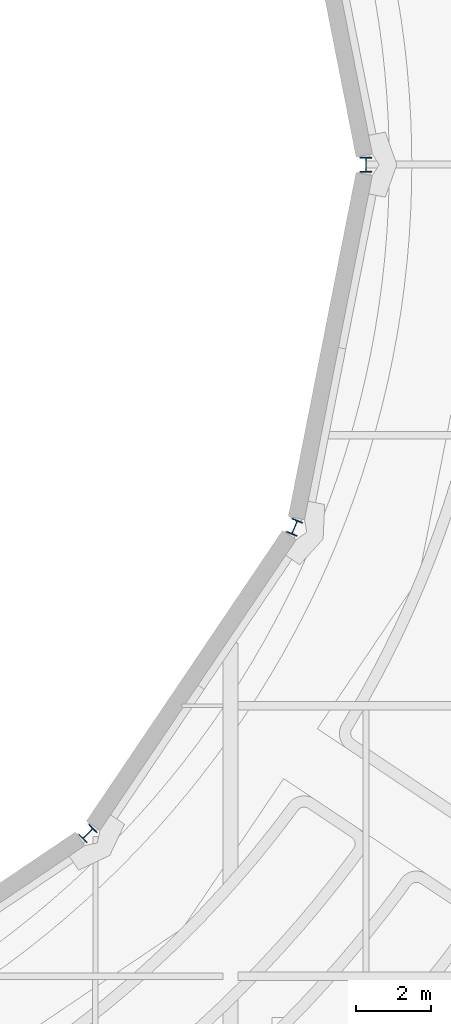
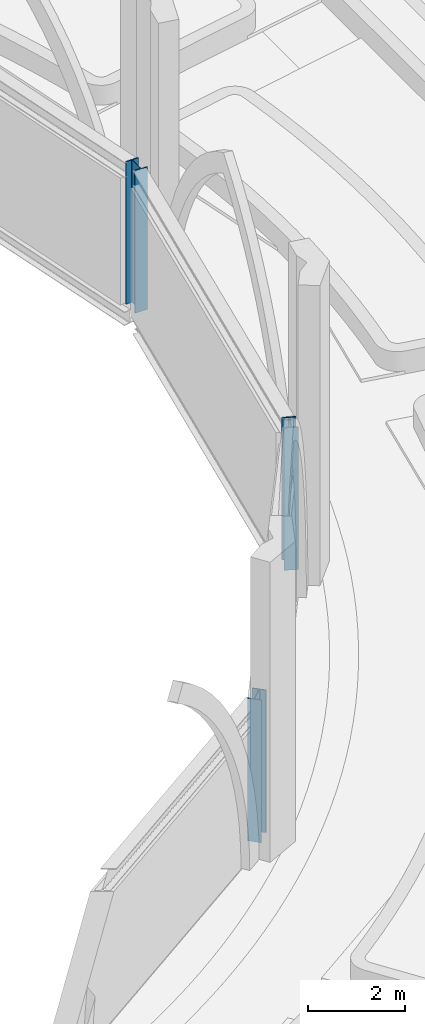
# One storey, part 2 of 110: 3 columns.
"""IFC4 building model written with IfcOpenShell, lengths in metres."""

from ifc_helpers import new_model, si_unit, direction, frame, origin, origin_2d, place, context, subcontext, project, spatial, i_section, extrude, material, material_profile, profile_set, type_object, element, save


model = new_model("IFC4")

# Units and contexts
model_context = context("Model", 3, precision=1e-05, world=origin(), true_north=direction((0.0, 1.0)))
body_context = subcontext(model_context, "Body", "Model", "MODEL_VIEW")
ifc_project = project(units=[si_unit("LENGTHUNIT", "METRE"), si_unit("AREAUNIT", "SQUARE_METRE"), si_unit("VOLUMEUNIT", "CUBIC_METRE"), si_unit("PLANEANGLEUNIT", "RADIAN"), si_unit("MASSUNIT", "GRAM", prefix="KILO")], contexts=[model_context])

# Site, building, storey
site_placement = place(None, origin())
site = spatial("IfcSite", under=ifc_project, at=site_placement, CompositionType="ELEMENT")
building_placement = place(site_placement, origin())
building = spatial("IfcBuilding", under=site, at=building_placement, Name="Kupolbacken Congress Centre", CompositionType="ELEMENT")
storey_placement = place(building_placement, frame((0.0, 0.0, 18.0)))
storey = spatial("IfcBuildingStorey", under=building, at=storey_placement, Name="L05", CompositionType="ELEMENT", Elevation=18.0)

# Columns
ifc_material = material(Name="Steel S355", Category="steel")
ifc_material_profile = material_profile(ifc_material, i_section(OverallWidth=0.300048828125, OverallDepth=0.39990234375, WebThickness=0.013427734375, FlangeThickness=0.02392578125, FilletRadius=0.027099609375, at=origin_2d()), Name="HEB 400")
ifc_profile_set = profile_set([ifc_material_profile], Name="Steel S355")
column_type = type_object("IfcColumnType", Name="C08 column HEB 400", PredefinedType="COLUMN", material=ifc_profile_set)
for number, where, z_axis, x_axis, name in (
    (1, (68.39990234375, 86.39990234375, 0.0), (0.0, 0.0, 1.0), (1.0, 0.0, 0.0), "S/col/C-D01/L05"),
    (2, (61.0, 68.60009765625, 0.0), (0.0, 0.0, 1.0), (0.707106781187, -0.707106781187, 0.0), "S/col/C-D15/L05"),
    (3, (66.5, 76.75, 0.0), (0.0, 0.0, 1.0), (0.923896018243, -0.382643629864, 0.0), "S/col/C-D16/L05"),
):
    element("IfcColumn", number, at=place(storey_placement, frame(where, z_axis=z_axis, x_axis=x_axis)), inside=storey, type_object=column_type, Name=name, PredefinedType="COLUMN", context=body_context, shape_type="SweptSolid", body=[
        extrude(i_section(OverallWidth=0.300048828125, OverallDepth=0.39990234375, WebThickness=0.013427734375, FlangeThickness=0.02392578125, FilletRadius=0.027099609375, at=origin_2d()), origin(), (0.0, 0.0, 1.0), 3.60009765625),
    ])

save(model, "model.ifc")
